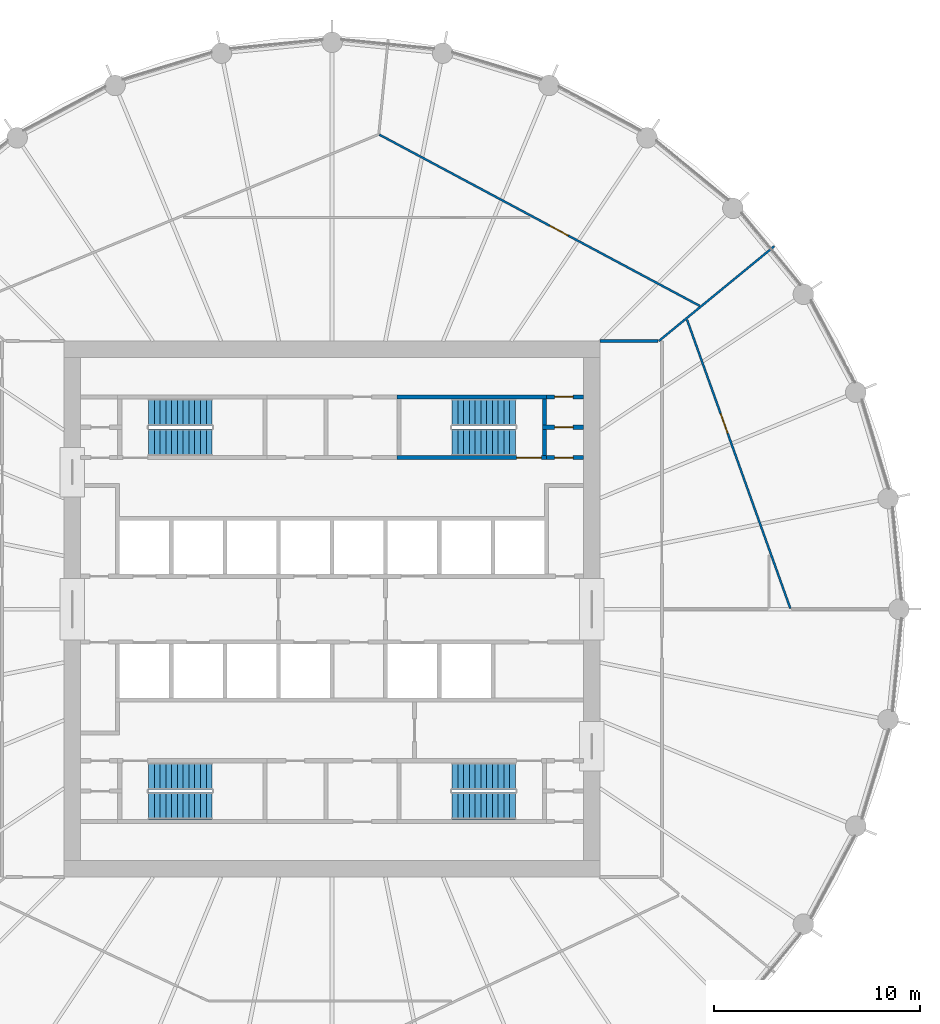
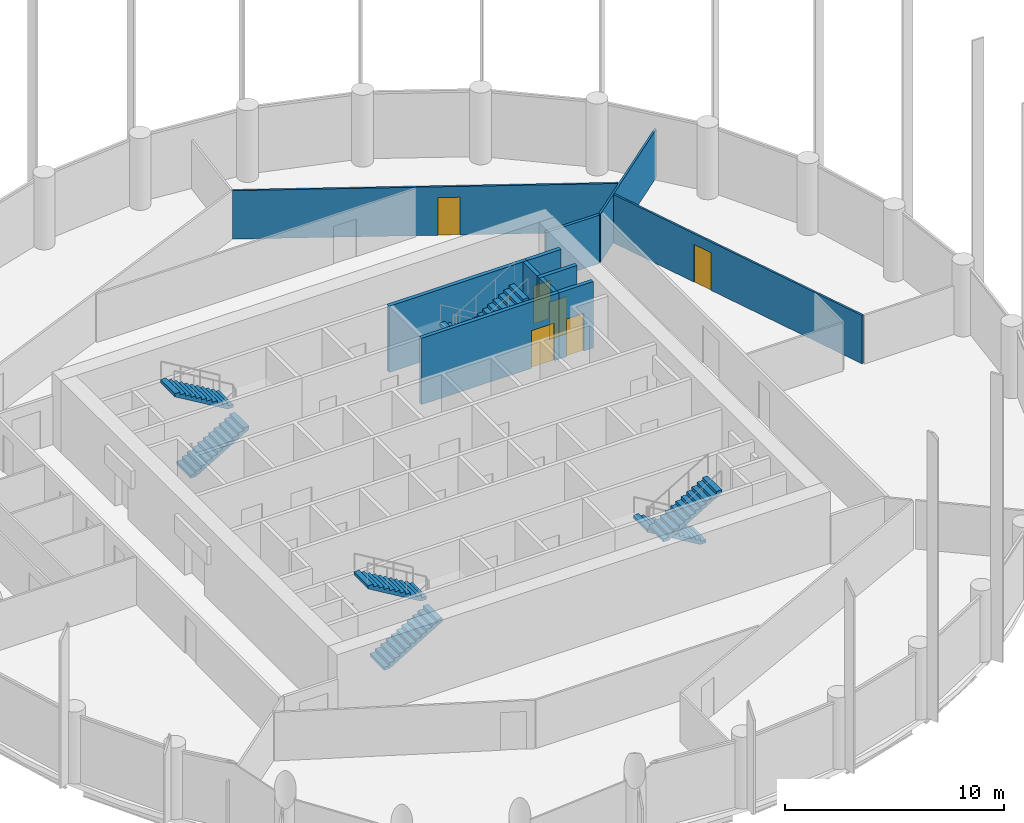
# One storey, part 7 of 8: 11 walls, 8 stair flights, 6 doors, 6 openings, 4 elements without a shape of their own.
"""IFC4 building model written with IfcOpenShell, lengths in metres."""

from ifc_helpers import new_model, si_unit, direction, frame, frame_2d, origin, place, context, subcontext, project, spatial, polyline, rectangle, outline, extrude, material, layer, layer_set, type_object, element, fill, aggregate, save


model = new_model("IFC4")

# Units and contexts
model_context = context("Model", 3, precision=1e-05, world=origin(), true_north=direction((0.0, 1.0)))
body_context = subcontext(model_context, "Body", "Model", "MODEL_VIEW")
ifc_project = project(units=[si_unit("LENGTHUNIT", "METRE"), si_unit("AREAUNIT", "SQUARE_METRE"), si_unit("VOLUMEUNIT", "CUBIC_METRE"), si_unit("PLANEANGLEUNIT", "RADIAN"), si_unit("MASSUNIT", "GRAM", prefix="KILO")], contexts=[model_context])

# Site, building, storey
site_placement = place(None, origin())
site = spatial("IfcSite", under=ifc_project, at=site_placement, CompositionType="ELEMENT")
building_placement = place(site_placement, origin())
building = spatial("IfcBuilding", under=site, at=building_placement, Name="Corvane Civic Tower", CompositionType="ELEMENT")
storey_placement = place(building_placement, frame((0.0, 0.0, 233.5)))
storey = spatial("IfcBuildingStorey", under=building, at=storey_placement, Name="L55", CompositionType="ELEMENT", Elevation=233.5)

# Wall, opening, door
ifc_material_1 = material(Name="Concrete C30/37", Category="concrete")
ifc_layer_1 = layer(ifc_material_1, 0.199951171875)
ifc_layer_set_1 = layer_set([ifc_layer_1], Name="Concrete C30/37")
wall_type_1 = type_object("IfcWallType", Name="CR-WALL-200", PredefinedType="PARTITIONING", material=ifc_layer_set_1)
wall_1_placement = place(storey_placement, frame((10.39990234375, 7.35009765625, 0.0), z_axis=(0.0, 0.0, 1.0), x_axis=(1.0, 0.0, 0.0)))
wall_1 = element("IfcWall", 1, at=wall_1_placement, inside=storey, type_object=wall_type_1, Name="L55 core partition wall", PredefinedType="PARTITIONING", context=body_context, shape_type="SweptSolid", body=[
    extrude(rectangle(XDim=1.800048828125, YDim=0.199951171875, at=frame_2d((0.89990234375, 0.0))), origin(), (0.0, 0.0, 1.0), 3.699951171875),
])
opening_1_placement = place(wall_1_placement, frame((0.39990234375, 0.0, 0.0)))
opening_1 = element("IfcOpeningElement", 2, at=opening_1_placement, cuts=wall_1, Name="Opening L55.C16", PredefinedType="OPENING", context=body_context, shape_type="SweptSolid", body=[
    extrude(rectangle(XDim=0.89990234375, YDim=2.10009765625, at=frame_2d((0.449951171875, 1.050048828125))), frame((0.0, 0.10986328125, 0.0), z_axis=(0.0, -1.0, 0.0), x_axis=(1.0, 0.0, 0.0)), (0.0, 0.0, 1.0), 0.219970703125),
])
ifc_material_2 = material(Name="Steel fire door leaf", Category="steel")
door_type_1 = type_object("IfcDoorType", Name="CR-DOOR-900", OperationType="SINGLE_SWING_LEFT", PredefinedType="DOOR", material=ifc_material_2)
door_1_placement = place(opening_1_placement, origin())
door_1 = element("IfcDoor", 3, at=door_1_placement, inside=storey, type_object=door_type_1, Name="L55 door", OperationType="SINGLE_SWING_LEFT", OverallHeight=2.10009765625, OverallWidth=0.89990234375, PredefinedType="DOOR", context=body_context, shape_type="SweptSolid", body=[
    extrude(rectangle(XDim=0.89990234375, YDim=2.10009765625, at=frame_2d((0.449951171875, 1.050048828125))), frame((0.0, 0.02490234375, 0.0), z_axis=(0.0, -1.0, 0.0), x_axis=(1.0, 0.0, 0.0)), (0.0, 0.0, 1.0), 0.050048828125),
])
fill(opening_1, door_1)

wall_2_placement = place(storey_placement, frame((10.199951171875, 8.824951171875, 0.0), z_axis=(0.0, 0.0, 1.0), x_axis=(1.0, 0.0, 0.0)))
wall_2 = element("IfcWall", 4, at=wall_2_placement, inside=storey, type_object=wall_type_1, Name="L55 partition wall", PredefinedType="PARTITIONING", context=body_context, shape_type="SweptSolid", body=[
    extrude(rectangle(XDim=2.0, YDim=0.199951171875, at=frame_2d((1.0, 0.0))), origin(), (0.0, 0.0, 1.0), 3.699951171875),
])
opening_2_placement = place(wall_2_placement, frame((0.60009765625, 0.0, 0.0)))
opening_2 = element("IfcOpeningElement", 5, at=opening_2_placement, cuts=wall_2, Name="Opening L55.C17", PredefinedType="OPENING", context=body_context, shape_type="SweptSolid", body=[
    extrude(rectangle(XDim=0.89990234375, YDim=2.10009765625, at=frame_2d((0.449951171875, 1.050048828125))), frame((0.0, 0.10986328125, 0.0), z_axis=(0.0, -1.0, 0.0), x_axis=(1.0, 0.0, 0.0)), (0.0, 0.0, 1.0), 0.219970703125),
])
door_2_placement = place(opening_2_placement, origin())
door_2 = element("IfcDoor", 6, at=door_2_placement, inside=storey, type_object=door_type_1, Name="L55 door", OperationType="SINGLE_SWING_LEFT", OverallHeight=2.10009765625, OverallWidth=0.89990234375, PredefinedType="DOOR", context=body_context, shape_type="SweptSolid", body=[
    extrude(rectangle(XDim=0.89990234375, YDim=2.10009765625, at=frame_2d((0.449951171875, 1.050048828125))), frame((0.0, 0.02490234375, 0.0), z_axis=(0.0, -1.0, 0.0), x_axis=(1.0, 0.0, 0.0)), (0.0, 0.0, 1.0), 0.050048828125),
])
fill(opening_2, door_2)

wall_3_placement = place(storey_placement, frame((10.39990234375, 10.300048828125, 0.0), z_axis=(0.0, 0.0, 1.0), x_axis=(1.0, 0.0, 0.0)))
wall_3 = element("IfcWall", 7, at=wall_3_placement, inside=storey, type_object=wall_type_1, Name="L55 partition wall", PredefinedType="PARTITIONING", context=body_context, shape_type="SweptSolid", body=[
    extrude(rectangle(XDim=1.800048828125, YDim=0.199951171875, at=frame_2d((0.89990234375, 0.0))), origin(), (0.0, 0.0, 1.0), 3.699951171875),
])
opening_3_placement = place(wall_3_placement, frame((0.39990234375, 0.0, 0.0)))
opening_3 = element("IfcOpeningElement", 8, at=opening_3_placement, cuts=wall_3, Name="Opening L55.C18", PredefinedType="OPENING", context=body_context, shape_type="SweptSolid", body=[
    extrude(rectangle(XDim=0.89990234375, YDim=2.10009765625, at=frame_2d((0.449951171875, 1.050048828125))), frame((0.0, 0.10986328125, 0.0), z_axis=(0.0, -1.0, 0.0), x_axis=(1.0, 0.0, 0.0)), (0.0, 0.0, 1.0), 0.219970703125),
])
door_3_placement = place(opening_3_placement, origin())
door_3 = element("IfcDoor", 9, at=door_3_placement, inside=storey, type_object=door_type_1, Name="L55 door", OperationType="SINGLE_SWING_LEFT", OverallHeight=2.10009765625, OverallWidth=0.89990234375, PredefinedType="DOOR", context=body_context, shape_type="SweptSolid", body=[
    extrude(rectangle(XDim=0.89990234375, YDim=2.10009765625, at=frame_2d((0.449951171875, 1.050048828125))), frame((0.0, 0.02490234375, 0.0), z_axis=(0.0, -1.0, 0.0), x_axis=(1.0, 0.0, 0.0)), (0.0, 0.0, 1.0), 0.050048828125),
])
fill(opening_3, door_3)

ifc_material_3 = material(Name="Plasterboard")
ifc_layer_2 = layer(ifc_material_3, 0.10009765625)
ifc_layer_set_2 = layer_set([ifc_layer_2], Name="Plasterboard")
wall_type_2 = type_object("IfcWallType", Name="Partition 100 plasterboard on studs", PredefinedType="PARTITIONING", material=ifc_layer_set_2)
wall_4_placement = place(storey_placement, frame((17.218505859375, 14.044189453125, 0.0), z_axis=(0.0, 0.0, 1.0), x_axis=(0.336888216566, -0.941544650847, 0.0)))
wall_4 = element("IfcWall", 10, at=wall_4_placement, inside=storey, type_object=wall_type_2, Name="Partition L55.016", PredefinedType="PARTITIONING", context=body_context, shape_type="SweptSolid", body=[
    extrude(rectangle(XDim=14.880859375, YDim=0.10009765625, at=frame_2d((7.4404296875, 0.0))), origin(), (0.0, 0.0, 1.0), 2.699951171875),
])
opening_4_placement = place(wall_4_placement, frame((4.838623046875, 0.0, 0.0)))
opening_4 = element("IfcOpeningElement", 11, at=opening_4_placement, cuts=wall_4, Name="Opening L55.008", PredefinedType="OPENING", context=body_context, shape_type="SweptSolid", body=[
    extrude(rectangle(XDim=1.0, YDim=2.10009765625, at=frame_2d((0.5, 1.050048828125))), frame((0.0, 0.06005859375, 0.0), z_axis=(0.0, -1.0, 0.0), x_axis=(1.0, 0.0, 0.0)), (0.0, 0.0, 1.0), 0.1201171875),
])
ifc_material_4 = material(Name="Timber", Category="wood")
door_type_2 = type_object("IfcDoorType", Name="Single door 1000", OperationType="NOTDEFINED", PredefinedType="DOOR", material=ifc_material_4)
door_4_placement = place(opening_4_placement, origin())
door_4 = element("IfcDoor", 12, at=door_4_placement, inside=storey, type_object=door_type_2, Name="Door L55.008", OperationType="SINGLE_SWING_LEFT", OverallHeight=2.10009765625, OverallWidth=1.0, PredefinedType="DOOR", context=body_context, shape_type="SweptSolid", body=[
    extrude(rectangle(XDim=1.0, YDim=2.10009765625, at=frame_2d((0.5, 1.050048828125))), frame((0.0, 0.02490234375, 0.0), z_axis=(0.0, -1.0, 0.0), x_axis=(1.0, 0.0, 0.0)), (0.0, 0.0, 1.0), 0.050048828125),
])
fill(opening_4, door_4)

# Wall
wall_5_placement = place(storey_placement, frame((15.8544921875, 13.01123046875, 0.0), z_axis=(0.0, 0.0, 1.0), x_axis=(0.772997895748, 0.634408585352, 0.0)))
element("IfcWall", 13, at=wall_5_placement, inside=storey, type_object=wall_type_2, Name="Partition L55.027", PredefinedType="PARTITIONING", context=body_context, shape_type="SweptSolid", body=[
    extrude(rectangle(XDim=7.240234375, YDim=0.10009765625, at=frame_2d((3.6201171875, 0.0))), origin(), (0.0, 0.0, 1.0), 2.699951171875),
])

# Wall, opening, door
wall_6_placement = place(storey_placement, frame((2.298095703125, 23.017333984375, 0.0), z_axis=(0.0, 0.0, 1.0), x_axis=(0.881923418912, -0.471392705899, 0.0)))
wall_6 = element("IfcWall", 14, at=wall_6_placement, inside=storey, type_object=wall_type_2, Name="Partition L55.029", PredefinedType="PARTITIONING", context=body_context, shape_type="SweptSolid", body=[
    extrude(rectangle(XDim=17.60595703125, YDim=0.10009765625, at=frame_2d((8.802978515625, 0.0))), origin(), (0.0, 0.0, 1.0), 2.699951171875),
])
opening_5_placement = place(wall_6_placement, frame((9.381591796875, 0.0, 0.0)))
opening_5 = element("IfcOpeningElement", 15, at=opening_5_placement, cuts=wall_6, Name="Opening L55.002", PredefinedType="OPENING", context=body_context, shape_type="SweptSolid", body=[
    extrude(rectangle(XDim=1.0, YDim=2.10009765625, at=frame_2d((0.5, 1.050048828125))), frame((0.0, 0.06005859375, 0.0), z_axis=(0.0, -1.0, 0.0), x_axis=(1.0, 0.0, 0.0)), (0.0, 0.0, 1.0), 0.1201171875),
])
door_5_placement = place(opening_5_placement, origin())
door_5 = element("IfcDoor", 16, at=door_5_placement, inside=storey, type_object=door_type_2, Name="Door L55.002", OperationType="SINGLE_SWING_LEFT", OverallHeight=2.10009765625, OverallWidth=1.0, PredefinedType="DOOR", context=body_context, shape_type="SweptSolid", body=[
    extrude(rectangle(XDim=1.0, YDim=2.10009765625, at=frame_2d((0.5, 1.050048828125))), frame((0.0, 0.02490234375, 0.0), z_axis=(0.0, -1.0, 0.0), x_axis=(1.0, 0.0, 0.0)), (0.0, 0.0, 1.0), 0.050048828125),
])
fill(opening_5, door_5)

ifc_material_5 = material(Name="Concrete C50/60", Category="concrete")
ifc_layer_3 = layer(ifc_material_5, 0.199951171875)
ifc_layer_set_3 = layer_set([ifc_layer_3], Name="Concrete C50/60")
wall_type_3 = type_object("IfcWallType", Name="ST-WALL-200", PredefinedType="SHEAR", material=ifc_layer_set_3)
wall_7_placement = place(storey_placement, frame((3.14990234375, 7.35009765625, 0.0), z_axis=(0.0, 0.0, 1.0), x_axis=(1.0, 0.0, 0.0)))
wall_7 = element("IfcWall", 17, at=wall_7_placement, inside=storey, type_object=wall_type_3, Name="L55 stair enclosure wall", PredefinedType="SHEAR", context=body_context, shape_type="SweptSolid", body=[
    extrude(rectangle(XDim=7.25, YDim=0.199951171875, at=frame_2d((3.625, 0.0))), origin(), (0.0, 0.0, 1.0), 3.699951171875),
])
opening_6_placement = place(wall_7_placement, frame((5.800048828125, 0.0, 0.0)))
opening_6 = element("IfcOpeningElement", 18, at=opening_6_placement, cuts=wall_7, Name="Opening L55.C22", PredefinedType="OPENING", context=body_context, shape_type="SweptSolid", body=[
    extrude(rectangle(XDim=1.199951171875, YDim=2.10009765625, at=frame_2d((0.60009765625, 1.050048828125))), frame((0.0, 0.10986328125, 0.0), z_axis=(0.0, -1.0, 0.0), x_axis=(1.0, 0.0, 0.0)), (0.0, 0.0, 1.0), 0.219970703125),
])
ifc_material_6 = material(Name="Steel fire door leaf", Category="steel")
door_type_3 = type_object("IfcDoorType", Name="ST-DOOR-1200", OperationType="SINGLE_SWING_RIGHT", PredefinedType="DOOR", material=ifc_material_6)
door_6_placement = place(opening_6_placement, origin())
door_6 = element("IfcDoor", 19, at=door_6_placement, inside=storey, type_object=door_type_3, Name="L55 stair door", OperationType="SINGLE_SWING_RIGHT", OverallHeight=2.10009765625, OverallWidth=1.199951171875, PredefinedType="DOOR", context=body_context, shape_type="SweptSolid", body=[
    extrude(rectangle(XDim=1.199951171875, YDim=2.10009765625, at=frame_2d((0.60009765625, 1.050048828125))), frame((0.0, 0.02490234375, 0.0), z_axis=(0.0, -1.0, 0.0), x_axis=(1.0, 0.0, 0.0)), (0.0, 0.0, 1.0), 0.050048828125),
])
fill(opening_6, door_6)

# Walls
wall_8_placement = place(storey_placement, origin())
element("IfcWall", 20, at=wall_8_placement, inside=storey, type_object=wall_type_3, Name="L55 stair enclosure wall", PredefinedType="SHEAR", context=body_context, shape_type="SweptSolid", body=[
    extrude(outline(polyline([(10.39990234375, 10.199951171875), (3.14990234375, 10.199951171875), (3.14990234375, 10.39990234375), (10.39990234375, 10.39990234375), (10.39990234375, 10.199951171875)])), origin(), (0.0, 0.0, 1.0), 3.699951171875),
])
wall_9_placement = place(storey_placement, origin())
element("IfcWall", 21, at=wall_9_placement, inside=storey, type_object=wall_type_3, Name="L55 stair enclosure wall", PredefinedType="SHEAR", context=body_context, shape_type="SweptSolid", body=[
    extrude(outline(polyline([(10.39990234375, 8.72509765625), (10.39990234375, 7.449951171875), (10.199951171875, 7.449951171875), (10.199951171875, 8.72509765625), (10.39990234375, 8.72509765625)])), origin(), (0.0, 0.0, 1.0), 3.699951171875),
])
wall_10_placement = place(storey_placement, origin())
element("IfcWall", 22, at=wall_10_placement, inside=storey, type_object=wall_type_3, Name="L55 stair enclosure wall", PredefinedType="SHEAR", context=body_context, shape_type="SweptSolid", body=[
    extrude(outline(polyline([(10.39990234375, 8.925048828125), (10.199951171875, 8.925048828125), (10.199951171875, 10.199951171875), (10.39990234375, 10.199951171875), (10.39990234375, 8.925048828125)])), origin(), (0.0, 0.0, 1.0), 3.699951171875),
])
ifc_material_7 = material(Name="Plasterboard")
ifc_layer_4 = layer(ifc_material_7, 0.14990234375)
ifc_layer_set_4 = layer_set([ifc_layer_4], Name="Plasterboard")
wall_type_4 = type_object("IfcWallType", Name="Tenancy wall 150 EI 60", PredefinedType="PARTITIONING", material=ifc_layer_set_4)
wall_11_placement = place(storey_placement, frame((12.989990234375, 13.0, 0.0), z_axis=(0.0, 0.0, 1.0), x_axis=(1.0, 0.0, 0.0)))
element("IfcWall", 23, at=wall_11_placement, inside=storey, type_object=wall_type_4, Name="Partition L55.025", PredefinedType="PARTITIONING", context=body_context, shape_type="SweptSolid", body=[
    extrude(rectangle(XDim=2.82373046875, YDim=0.14990234375, at=frame_2d((1.411865234375, 0.0))), origin(), (0.0, 0.0, 1.0), 2.699951171875),
])

# Stair, stair flights
ifc_material_8 = material(Name="Concrete C40/50", Category="concrete")
stair_type = type_object("IfcStairType", Name="ST-STAIR-HALFTURN", PredefinedType="HALF_TURN_STAIR", material=ifc_material_8)
stair_1_placement = place(storey_placement, origin())
stair_1 = element("IfcStair", 24, at=stair_1_placement, inside=storey, type_object=stair_type, Name="L55 Exit stair ST1", PredefinedType="HALF_TURN_STAIR")
ifc_material_9 = material(Name="Concrete C40/50", Category="concrete")
stair_flight_type = type_object("IfcStairFlightType", Name="ST-FLIGHT-RC", PredefinedType="STRAIGHT", material=ifc_material_9)
stair_flight_1_placement = place(storey_placement, frame((8.89990234375, 9.550048828125, 0.0), z_axis=(0.0, 0.0, 1.0), x_axis=(-1.0, 0.0, 0.0)))
stair_flight_1 = element("IfcStairFlight", 25, at=stair_flight_1_placement, type_object=stair_flight_type, Name="ST1 flight 1", NumberOfRisers=12, NumberOfTreads=11, PredefinedType="STRAIGHT", RiserHeight=0.166666667, TreadLength=0.28, context=body_context, shape_type="SweptSolid", body=[
    extrude(outline(polyline([(0.0, 0.0), (0.0, 0.166748046875), (0.280029296875, 0.166748046875), (0.280029296875, 0.333251953125), (0.56005859375, 0.333251953125), (0.56005859375, 0.5), (0.840087890625, 0.5), (0.840087890625, 0.666748046875), (1.1201171875, 0.666748046875), (1.1201171875, 0.833251953125), (1.39990234375, 0.833251953125), (1.39990234375, 1.0), (1.679931640625, 1.0), (1.679931640625, 1.166748046875), (1.9599609375, 1.166748046875), (1.9599609375, 1.333251953125), (2.239990234375, 1.333251953125), (2.239990234375, 1.5), (2.52001953125, 1.5), (2.52001953125, 1.666748046875), (2.800048828125, 1.666748046875), (2.800048828125, 1.833251953125), (3.080078125, 1.833251953125), (3.080078125, 2.0), (3.080078125, 1.658935546875), (0.29296875, 0.0), (0.0, 0.0)])), frame((0.0, 0.64990234375, 0.0), z_axis=(0.0, -1.0, 0.0), x_axis=(1.0, 0.0, 0.0)), (0.0, 0.0, 1.0), 1.300048828125),
])
stair_flight_2_placement = place(storey_placement, frame((5.820068359375, 8.10009765625, 2.0), z_axis=(0.0, 0.0, 1.0), x_axis=(1.0, 0.0, 0.0)))
stair_flight_2 = element("IfcStairFlight", 26, at=stair_flight_2_placement, type_object=stair_flight_type, Name="ST1 flight 2", NumberOfRisers=12, NumberOfTreads=11, PredefinedType="STRAIGHT", RiserHeight=0.166666667, TreadLength=0.28, context=body_context, shape_type="SweptSolid", body=[
    extrude(outline(polyline([(0.0, 0.0), (0.0, 0.166748046875), (0.280029296875, 0.166748046875), (0.280029296875, 0.333251953125), (0.56005859375, 0.333251953125), (0.56005859375, 0.5), (0.840087890625, 0.5), (0.840087890625, 0.666748046875), (1.1201171875, 0.666748046875), (1.1201171875, 0.833251953125), (1.39990234375, 0.833251953125), (1.39990234375, 1.0), (1.679931640625, 1.0), (1.679931640625, 1.166748046875), (1.9599609375, 1.166748046875), (1.9599609375, 1.333251953125), (2.239990234375, 1.333251953125), (2.239990234375, 1.5), (2.52001953125, 1.5), (2.52001953125, 1.666748046875), (2.800048828125, 1.666748046875), (2.800048828125, 1.833251953125), (3.080078125, 1.833251953125), (3.080078125, 2.0), (3.080078125, 1.658935546875), (0.29296875, 0.0), (0.0, 0.0)])), frame((0.0, 0.64990234375, 0.0), z_axis=(0.0, -1.0, 0.0), x_axis=(1.0, 0.0, 0.0)), (0.0, 0.0, 1.0), 1.300048828125),
])
aggregate(stair_1, [stair_flight_1, stair_flight_2])

stair_2_placement = place(storey_placement, origin())
stair_2 = element("IfcStair", 27, at=stair_2_placement, inside=storey, type_object=stair_type, Name="L55 Exit stair ST2", PredefinedType="HALF_TURN_STAIR")
stair_flight_3_placement = place(storey_placement, frame((8.89990234375, -8.10009765625, 0.0), z_axis=(0.0, 0.0, 1.0), x_axis=(-1.0, 0.0, 0.0)))
stair_flight_3 = element("IfcStairFlight", 28, at=stair_flight_3_placement, type_object=stair_flight_type, Name="ST2 flight 1", NumberOfRisers=12, NumberOfTreads=11, PredefinedType="STRAIGHT", RiserHeight=0.166666667, TreadLength=0.28, context=body_context, shape_type="SweptSolid", body=[
    extrude(outline(polyline([(0.0, 0.0), (0.0, 0.166748046875), (0.280029296875, 0.166748046875), (0.280029296875, 0.333251953125), (0.56005859375, 0.333251953125), (0.56005859375, 0.5), (0.840087890625, 0.5), (0.840087890625, 0.666748046875), (1.1201171875, 0.666748046875), (1.1201171875, 0.833251953125), (1.39990234375, 0.833251953125), (1.39990234375, 1.0), (1.679931640625, 1.0), (1.679931640625, 1.166748046875), (1.9599609375, 1.166748046875), (1.9599609375, 1.333251953125), (2.239990234375, 1.333251953125), (2.239990234375, 1.5), (2.52001953125, 1.5), (2.52001953125, 1.666748046875), (2.800048828125, 1.666748046875), (2.800048828125, 1.833251953125), (3.080078125, 1.833251953125), (3.080078125, 2.0), (3.080078125, 1.658935546875), (0.29296875, 0.0), (0.0, 0.0)])), frame((0.0, 0.64990234375, 0.0), z_axis=(0.0, -1.0, 0.0), x_axis=(1.0, 0.0, 0.0)), (0.0, 0.0, 1.0), 1.300048828125),
])
stair_flight_4_placement = place(storey_placement, frame((5.820068359375, -9.550048828125, 2.0), z_axis=(0.0, 0.0, 1.0), x_axis=(1.0, 0.0, 0.0)))
stair_flight_4 = element("IfcStairFlight", 29, at=stair_flight_4_placement, type_object=stair_flight_type, Name="ST2 flight 2", NumberOfRisers=12, NumberOfTreads=11, PredefinedType="STRAIGHT", RiserHeight=0.166666667, TreadLength=0.28, context=body_context, shape_type="SweptSolid", body=[
    extrude(outline(polyline([(0.0, 0.0), (0.0, 0.166748046875), (0.280029296875, 0.166748046875), (0.280029296875, 0.333251953125), (0.56005859375, 0.333251953125), (0.56005859375, 0.5), (0.840087890625, 0.5), (0.840087890625, 0.666748046875), (1.1201171875, 0.666748046875), (1.1201171875, 0.833251953125), (1.39990234375, 0.833251953125), (1.39990234375, 1.0), (1.679931640625, 1.0), (1.679931640625, 1.166748046875), (1.9599609375, 1.166748046875), (1.9599609375, 1.333251953125), (2.239990234375, 1.333251953125), (2.239990234375, 1.5), (2.52001953125, 1.5), (2.52001953125, 1.666748046875), (2.800048828125, 1.666748046875), (2.800048828125, 1.833251953125), (3.080078125, 1.833251953125), (3.080078125, 2.0), (3.080078125, 1.658935546875), (0.29296875, 0.0), (0.0, 0.0)])), frame((0.0, 0.64990234375, 0.0), z_axis=(0.0, -1.0, 0.0), x_axis=(1.0, 0.0, 0.0)), (0.0, 0.0, 1.0), 1.300048828125),
])
aggregate(stair_2, [stair_flight_3, stair_flight_4])

stair_3_placement = place(storey_placement, origin())
stair_3 = element("IfcStair", 30, at=stair_3_placement, inside=storey, type_object=stair_type, Name="L55 Exit stair ST3", PredefinedType="HALF_TURN_STAIR")
stair_flight_5_placement = place(storey_placement, frame((-8.89990234375, -9.550048828125, 0.0), z_axis=(0.0, 0.0, 1.0), x_axis=(1.0, 0.0, 0.0)))
stair_flight_5 = element("IfcStairFlight", 31, at=stair_flight_5_placement, type_object=stair_flight_type, Name="ST3 flight 1", NumberOfRisers=12, NumberOfTreads=11, PredefinedType="STRAIGHT", RiserHeight=0.166666667, TreadLength=0.28, context=body_context, shape_type="SweptSolid", body=[
    extrude(outline(polyline([(0.0, 0.0), (0.0, 0.166748046875), (0.280029296875, 0.166748046875), (0.280029296875, 0.333251953125), (0.56005859375, 0.333251953125), (0.56005859375, 0.5), (0.840087890625, 0.5), (0.840087890625, 0.666748046875), (1.1201171875, 0.666748046875), (1.1201171875, 0.833251953125), (1.39990234375, 0.833251953125), (1.39990234375, 1.0), (1.679931640625, 1.0), (1.679931640625, 1.166748046875), (1.9599609375, 1.166748046875), (1.9599609375, 1.333251953125), (2.239990234375, 1.333251953125), (2.239990234375, 1.5), (2.52001953125, 1.5), (2.52001953125, 1.666748046875), (2.800048828125, 1.666748046875), (2.800048828125, 1.833251953125), (3.080078125, 1.833251953125), (3.080078125, 2.0), (3.080078125, 1.658935546875), (0.29296875, 0.0), (0.0, 0.0)])), frame((0.0, 0.64990234375, 0.0), z_axis=(0.0, -1.0, 0.0), x_axis=(1.0, 0.0, 0.0)), (0.0, 0.0, 1.0), 1.300048828125),
])
stair_flight_6_placement = place(storey_placement, frame((-5.820068359375, -8.10009765625, 2.0), z_axis=(0.0, 0.0, 1.0), x_axis=(-1.0, 0.0, 0.0)))
stair_flight_6 = element("IfcStairFlight", 32, at=stair_flight_6_placement, type_object=stair_flight_type, Name="ST3 flight 2", NumberOfRisers=12, NumberOfTreads=11, PredefinedType="STRAIGHT", RiserHeight=0.166666667, TreadLength=0.28, context=body_context, shape_type="SweptSolid", body=[
    extrude(outline(polyline([(0.0, 0.0), (0.0, 0.166748046875), (0.280029296875, 0.166748046875), (0.280029296875, 0.333251953125), (0.56005859375, 0.333251953125), (0.56005859375, 0.5), (0.840087890625, 0.5), (0.840087890625, 0.666748046875), (1.1201171875, 0.666748046875), (1.1201171875, 0.833251953125), (1.39990234375, 0.833251953125), (1.39990234375, 1.0), (1.679931640625, 1.0), (1.679931640625, 1.166748046875), (1.9599609375, 1.166748046875), (1.9599609375, 1.333251953125), (2.239990234375, 1.333251953125), (2.239990234375, 1.5), (2.52001953125, 1.5), (2.52001953125, 1.666748046875), (2.800048828125, 1.666748046875), (2.800048828125, 1.833251953125), (3.080078125, 1.833251953125), (3.080078125, 2.0), (3.080078125, 1.658935546875), (0.29296875, 0.0), (0.0, 0.0)])), frame((0.0, 0.64990234375, 0.0), z_axis=(0.0, -1.0, 0.0), x_axis=(1.0, 0.0, 0.0)), (0.0, 0.0, 1.0), 1.300048828125),
])
aggregate(stair_3, [stair_flight_5, stair_flight_6])

stair_4_placement = place(storey_placement, origin())
stair_4 = element("IfcStair", 33, at=stair_4_placement, inside=storey, type_object=stair_type, Name="L55 Exit stair ST4", PredefinedType="HALF_TURN_STAIR")
stair_flight_7_placement = place(storey_placement, frame((-8.89990234375, 8.10009765625, 0.0), z_axis=(0.0, 0.0, 1.0), x_axis=(1.0, 0.0, 0.0)))
stair_flight_7 = element("IfcStairFlight", 34, at=stair_flight_7_placement, type_object=stair_flight_type, Name="ST4 flight 1", NumberOfRisers=12, NumberOfTreads=11, PredefinedType="STRAIGHT", RiserHeight=0.166666667, TreadLength=0.28, context=body_context, shape_type="SweptSolid", body=[
    extrude(outline(polyline([(0.0, 0.0), (0.0, 0.166748046875), (0.280029296875, 0.166748046875), (0.280029296875, 0.333251953125), (0.56005859375, 0.333251953125), (0.56005859375, 0.5), (0.840087890625, 0.5), (0.840087890625, 0.666748046875), (1.1201171875, 0.666748046875), (1.1201171875, 0.833251953125), (1.39990234375, 0.833251953125), (1.39990234375, 1.0), (1.679931640625, 1.0), (1.679931640625, 1.166748046875), (1.9599609375, 1.166748046875), (1.9599609375, 1.333251953125), (2.239990234375, 1.333251953125), (2.239990234375, 1.5), (2.52001953125, 1.5), (2.52001953125, 1.666748046875), (2.800048828125, 1.666748046875), (2.800048828125, 1.833251953125), (3.080078125, 1.833251953125), (3.080078125, 2.0), (3.080078125, 1.658935546875), (0.29296875, 0.0), (0.0, 0.0)])), frame((0.0, 0.64990234375, 0.0), z_axis=(0.0, -1.0, 0.0), x_axis=(1.0, 0.0, 0.0)), (0.0, 0.0, 1.0), 1.300048828125),
])
stair_flight_8_placement = place(storey_placement, frame((-5.820068359375, 9.550048828125, 2.0), z_axis=(0.0, 0.0, 1.0), x_axis=(-1.0, 0.0, 0.0)))
stair_flight_8 = element("IfcStairFlight", 35, at=stair_flight_8_placement, type_object=stair_flight_type, Name="ST4 flight 2", NumberOfRisers=12, NumberOfTreads=11, PredefinedType="STRAIGHT", RiserHeight=0.166666667, TreadLength=0.28, context=body_context, shape_type="SweptSolid", body=[
    extrude(outline(polyline([(0.0, 0.0), (0.0, 0.166748046875), (0.280029296875, 0.166748046875), (0.280029296875, 0.333251953125), (0.56005859375, 0.333251953125), (0.56005859375, 0.5), (0.840087890625, 0.5), (0.840087890625, 0.666748046875), (1.1201171875, 0.666748046875), (1.1201171875, 0.833251953125), (1.39990234375, 0.833251953125), (1.39990234375, 1.0), (1.679931640625, 1.0), (1.679931640625, 1.166748046875), (1.9599609375, 1.166748046875), (1.9599609375, 1.333251953125), (2.239990234375, 1.333251953125), (2.239990234375, 1.5), (2.52001953125, 1.5), (2.52001953125, 1.666748046875), (2.800048828125, 1.666748046875), (2.800048828125, 1.833251953125), (3.080078125, 1.833251953125), (3.080078125, 2.0), (3.080078125, 1.658935546875), (0.29296875, 0.0), (0.0, 0.0)])), frame((0.0, 0.64990234375, 0.0), z_axis=(0.0, -1.0, 0.0), x_axis=(1.0, 0.0, 0.0)), (0.0, 0.0, 1.0), 1.300048828125),
])
aggregate(stair_4, [stair_flight_7, stair_flight_8])

save(model, "model.ifc")
